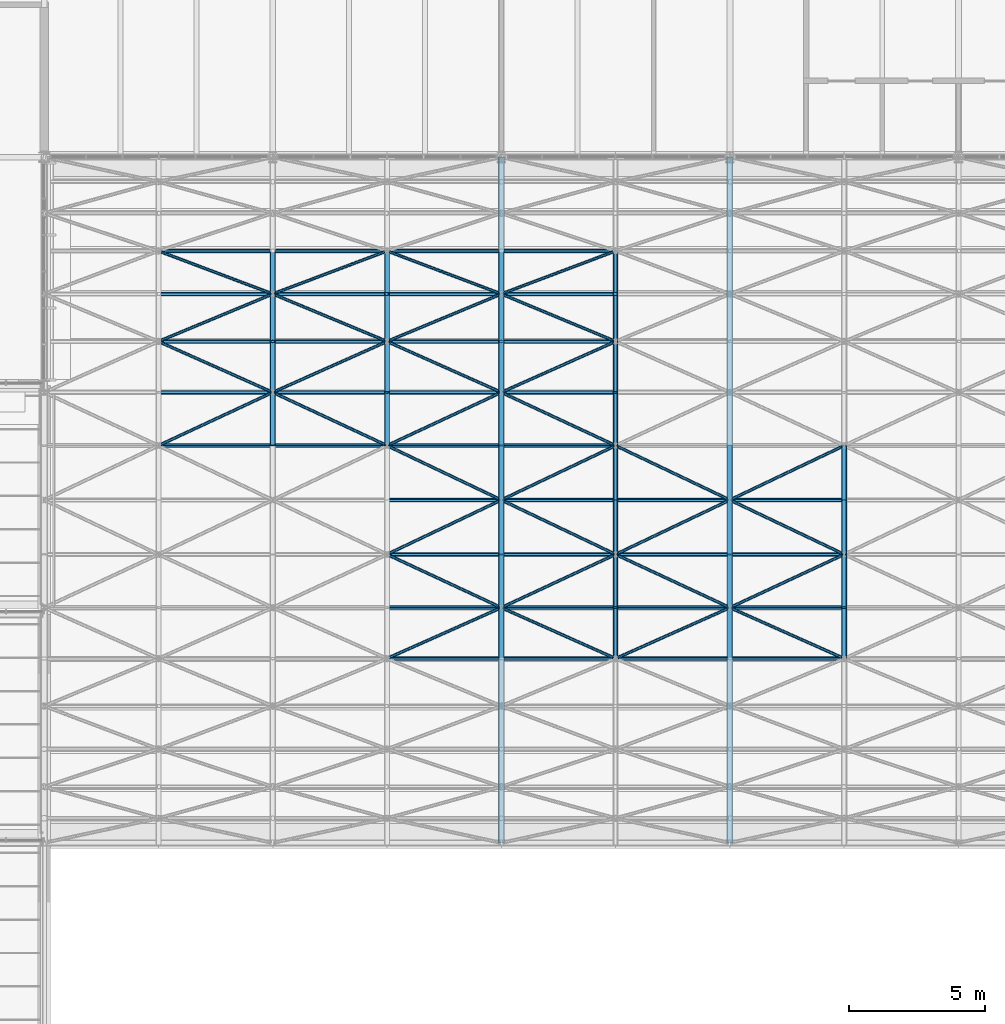
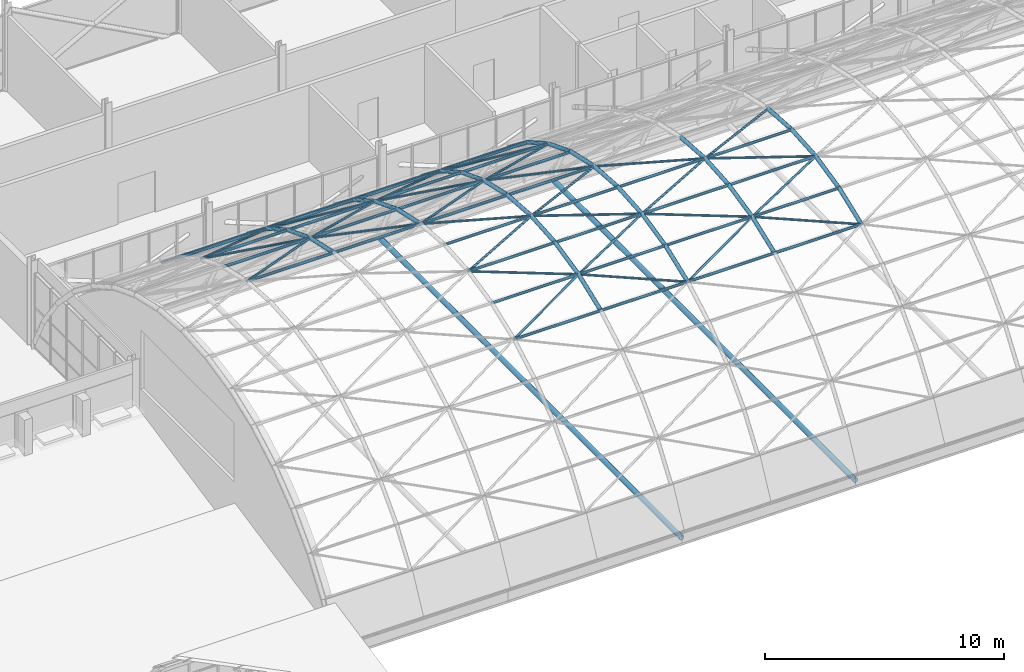
# One storey, part 44 of 121: 102 members.
"""IFC4 building model written with IfcOpenShell, lengths in metres."""

from ifc_helpers import new_model, si_unit, direction, frame, origin, origin_2d, place, context, subcontext, project, spatial, hollow_circle, extrude, material, material_profile, profile_set, type_object, element, save


model = new_model("IFC4")

# Units and contexts
model_context = context("Model", 3, precision=1e-05, world=origin(), true_north=direction((0.0, 1.0)))
body_context = subcontext(model_context, "Body", "Model", "MODEL_VIEW")
ifc_project = project(units=[si_unit("LENGTHUNIT", "METRE"), si_unit("AREAUNIT", "SQUARE_METRE"), si_unit("VOLUMEUNIT", "CUBIC_METRE"), si_unit("PLANEANGLEUNIT", "RADIAN"), si_unit("MASSUNIT", "GRAM", prefix="KILO")], contexts=[model_context])

# Site, building, storey
site_placement = place(None, origin())
site = spatial("IfcSite", under=ifc_project, at=site_placement, CompositionType="ELEMENT")
building_placement = place(site_placement, origin())
building = spatial("IfcBuilding", under=site, at=building_placement, Name="Ardhachandra Cancer Care Centre", CompositionType="ELEMENT")
storey_placement = place(building_placement, frame((0.0, 0.0, 9.0)))
storey = spatial("IfcBuildingStorey", under=building, at=storey_placement, Name="L02", CompositionType="ELEMENT", Elevation=9.0)

# Members
ifc_material_1 = material(Name="Steel E350 (IS 2062)", Category="steel")
ifc_material_profile_1 = material_profile(ifc_material_1, hollow_circle(Radius=0.05712890625, WallThickness=0.0048828125, at=origin_2d()), Name="CHS 114.3x5.0")
ifc_profile_set_1 = profile_set([ifc_material_profile_1], Name="Steel E350 (IS 2062)")
member_type_1 = type_object("IfcMemberType", Name="Hall shell Diagonal CHS 114.3x5.0", PredefinedType="BRACE", material=ifc_profile_set_1)
for number, where, z_axis, x_axis, name in (
    (1, (48.60009765625, 69.19921875, 8.252685546875), (0.902454833565, 0.420355204404, -0.094216641346), (-0.422233417443, 0.906487143425, 0.0), "Hall shell diagonal 01-09"),
    (2, (52.800048828125, 71.155517578125, 7.814208984375), (-0.902466898758, 0.401999874742, -0.154756574512), (-0.406901972634, -0.913471830253, 0.0), "Hall shell diagonal 02-10"),
):
    element("IfcMember", number, at=place(storey_placement, frame(where, z_axis=z_axis, x_axis=x_axis)), inside=storey, type_object=member_type_1, Name=name, PredefinedType="BRACE", context=body_context, shape_type="SweptSolid", body=[
        extrude(hollow_circle(Radius=0.05712890625, WallThickness=0.0048828125, at=origin_2d()), origin(), (0.0, 0.0, 1.0), 4.65380859375),
    ])
member_1_placement = place(storey_placement, frame((48.60009765625, 73.0263671875, 7.093994140625), z_axis=(0.902449746112, 0.375028380803, -0.211986247982), x_axis=(-0.383750001753, 0.923437023383, 0.0)))
element("IfcMember", 3, at=member_1_placement, inside=storey, type_object=member_type_1, Name="Hall shell diagonal 01-11", PredefinedType="BRACE", context=body_context, shape_type="SweptSolid", body=[
    extrude(hollow_circle(Radius=0.05712890625, WallThickness=0.0048828125, at=origin_2d()), origin(), (0.0, 0.0, 1.0), 4.654052734375),
])
for number, where, z_axis, x_axis, name in (
    (4, (52.800048828125, 74.771728515625, 6.107421875), (-0.902472725391, 0.339889599942, -0.264609220884), (-0.352452515066, -0.935829698515, 0.0), "Hall shell diagonal 02-12"),
    (5, (57.0, 69.19921875, 8.252685546875), (-0.902454833565, 0.420355204404, -0.094216641346), (-0.422233417443, -0.906487143425, 0.0), "Hall shell diagonal 03-09"),
    (6, (52.800048828125, 71.155517578125, 7.814208984375), (0.902466898758, 0.401999874742, -0.154756574512), (-0.406901972634, 0.913471830253, 0.0), "Hall shell diagonal 02-10"),
):
    element("IfcMember", number, at=place(storey_placement, frame(where, z_axis=z_axis, x_axis=x_axis)), inside=storey, type_object=member_type_1, Name=name, PredefinedType="BRACE", context=body_context, shape_type="SweptSolid", body=[
        extrude(hollow_circle(Radius=0.05712890625, WallThickness=0.0048828125, at=origin_2d()), origin(), (0.0, 0.0, 1.0), 4.65380859375),
    ])
member_2_placement = place(storey_placement, frame((57.0, 73.0263671875, 7.093994140625), z_axis=(-0.902449746112, 0.375028380803, -0.211986247982), x_axis=(-0.383750001753, -0.923437023383, 0.0)))
element("IfcMember", 7, at=member_2_placement, inside=storey, type_object=member_type_1, Name="Hall shell diagonal 03-11", PredefinedType="BRACE", context=body_context, shape_type="SweptSolid", body=[
    extrude(hollow_circle(Radius=0.05712890625, WallThickness=0.0048828125, at=origin_2d()), origin(), (0.0, 0.0, 1.0), 4.654052734375),
])
for number, where, z_axis, x_axis, name in (
    (8, (52.800048828125, 74.771728515625, 6.107421875), (0.902472725391, 0.339889599942, -0.264609220884), (-0.352452515066, 0.935829698515, 0.0), "Hall shell diagonal 02-12"),
    (9, (57.0, 61.37353515625, 7.093994140625), (0.902466898758, 0.401999874742, 0.154756574512), (-0.406901972634, 0.913471830253, 0.0), "Hall shell diagonal 03-05"),
    (10, (61.199951171875, 63.244384765625, 7.814208984375), (-0.902454833565, 0.420355204404, 0.094216641346), (-0.422233417443, -0.906487143425, 0.0), "Hall shell diagonal 04-06"),
    (11, (57.0, 65.20068359375, 8.252685546875), (0.902467816457, 0.42959419572, 0.031633325195), (-0.429809297591, 0.902919690617, 0.0), "Hall shell diagonal 03-07"),
    (12, (61.199951171875, 67.199951171875, 8.39990234375), (-0.902467816457, 0.42959419572, -0.031633325195), (-0.429809297591, -0.902919690617, 0.0), "Hall shell diagonal 04-08"),
    (13, (57.0, 69.19921875, 8.252685546875), (0.902454833565, 0.420355204404, -0.094216641346), (-0.422233417443, 0.906487143425, 0.0), "Hall shell diagonal 03-09"),
    (14, (61.199951171875, 71.155517578125, 7.814208984375), (-0.902466898758, 0.401999874742, -0.154756574512), (-0.406901972634, -0.913471830253, 0.0), "Hall shell diagonal 04-10"),
):
    element("IfcMember", number, at=place(storey_placement, frame(where, z_axis=z_axis, x_axis=x_axis)), inside=storey, type_object=member_type_1, Name=name, PredefinedType="BRACE", context=body_context, shape_type="SweptSolid", body=[
        extrude(hollow_circle(Radius=0.05712890625, WallThickness=0.0048828125, at=origin_2d()), origin(), (0.0, 0.0, 1.0), 4.65380859375),
    ])
member_3_placement = place(storey_placement, frame((57.0, 73.0263671875, 7.093994140625), z_axis=(0.902449746112, 0.375028380803, -0.211986247982), x_axis=(-0.383750001753, 0.923437023383, 0.0)))
element("IfcMember", 15, at=member_3_placement, inside=storey, type_object=member_type_1, Name="Hall shell diagonal 03-11", PredefinedType="BRACE", context=body_context, shape_type="SweptSolid", body=[
    extrude(hollow_circle(Radius=0.05712890625, WallThickness=0.0048828125, at=origin_2d()), origin(), (0.0, 0.0, 1.0), 4.654052734375),
])
for number, where, z_axis, x_axis, name in (
    (16, (61.199951171875, 74.771728515625, 6.107421875), (-0.902472725391, 0.339889599942, -0.264609220884), (-0.352452515066, -0.935829698515, 0.0), "Hall shell diagonal 04-12"),
    (17, (65.39990234375, 61.37353515625, 7.093994140625), (-0.902466898758, 0.401999874742, 0.154756574512), (-0.406901972634, -0.913471830253, 0.0), "Hall shell diagonal 05-05"),
    (18, (61.199951171875, 63.244384765625, 7.814208984375), (0.902454833565, 0.420355204404, 0.094216641346), (-0.422233417443, 0.906487143425, 0.0), "Hall shell diagonal 04-06"),
    (19, (65.39990234375, 65.20068359375, 8.252685546875), (-0.902467816457, 0.42959419572, 0.031633325195), (-0.429809297591, -0.902919690617, 0.0), "Hall shell diagonal 05-07"),
    (20, (61.199951171875, 67.199951171875, 8.39990234375), (0.902467816457, 0.42959419572, -0.031633325195), (-0.429809297591, 0.902919690617, 0.0), "Hall shell diagonal 04-08"),
    (21, (65.39990234375, 69.19921875, 8.252685546875), (-0.902454833565, 0.420355204404, -0.094216641346), (-0.422233417443, -0.906487143425, 0.0), "Hall shell diagonal 05-09"),
    (22, (61.199951171875, 71.155517578125, 7.814208984375), (0.902466898758, 0.401999874742, -0.154756574512), (-0.406901972634, 0.913471830253, 0.0), "Hall shell diagonal 04-10"),
):
    element("IfcMember", number, at=place(storey_placement, frame(where, z_axis=z_axis, x_axis=x_axis)), inside=storey, type_object=member_type_1, Name=name, PredefinedType="BRACE", context=body_context, shape_type="SweptSolid", body=[
        extrude(hollow_circle(Radius=0.05712890625, WallThickness=0.0048828125, at=origin_2d()), origin(), (0.0, 0.0, 1.0), 4.65380859375),
    ])
member_4_placement = place(storey_placement, frame((65.39990234375, 73.0263671875, 7.093994140625), z_axis=(-0.902449746112, 0.375028380803, -0.211986247982), x_axis=(-0.383750001753, -0.923437023383, 0.0)))
element("IfcMember", 23, at=member_4_placement, inside=storey, type_object=member_type_1, Name="Hall shell diagonal 05-11", PredefinedType="BRACE", context=body_context, shape_type="SweptSolid", body=[
    extrude(hollow_circle(Radius=0.05712890625, WallThickness=0.0048828125, at=origin_2d()), origin(), (0.0, 0.0, 1.0), 4.654052734375),
])
member_5_placement = place(storey_placement, frame((61.199951171875, 74.771728515625, 6.107421875), z_axis=(0.902472725391, 0.339889599942, -0.264609220884), x_axis=(-0.352452515066, 0.935829698515, 0.0)))
element("IfcMember", 24, at=member_5_placement, inside=storey, type_object=member_type_1, Name="Hall shell diagonal 04-12", PredefinedType="BRACE", context=body_context, shape_type="SweptSolid", body=[
    extrude(hollow_circle(Radius=0.05712890625, WallThickness=0.0048828125, at=origin_2d()), origin(), (0.0, 0.0, 1.0), 4.65380859375),
])
for number, where, z_axis, x_axis, name in (
    (25, (65.39990234375, 61.37353515625, 7.093994140625), (0.902476632176, 0.401980843546, 0.154749248135), (-0.406882236734, 0.913480621267, 0.0), "Hall shell diagonal 05-05"),
    (26, (69.60009765625, 63.244384765625, 7.814208984375), (-0.902464567995, 0.420335304775, 0.094212181128), (-0.422213249889, -0.906496537014, 0.0), "Hall shell diagonal 06-06"),
    (27, (65.39990234375, 65.20068359375, 8.252685546875), (0.902477549799, 0.429573858132, 0.031631827629), (-0.42978892944, 0.902929386016, 0.0), "Hall shell diagonal 05-07"),
    (28, (69.60009765625, 67.199951171875, 8.39990234375), (-0.902477549799, 0.429573858132, -0.031631827629), (-0.42978892944, -0.902929386016, 0.0), "Hall shell diagonal 06-08"),
):
    element("IfcMember", number, at=place(storey_placement, frame(where, z_axis=z_axis, x_axis=x_axis)), inside=storey, type_object=member_type_1, Name=name, PredefinedType="BRACE", context=body_context, shape_type="SweptSolid", body=[
        extrude(hollow_circle(Radius=0.05712890625, WallThickness=0.0048828125, at=origin_2d()), origin(), (0.0, 0.0, 1.0), 4.654052734375),
    ])
for number, where, z_axis, x_axis, name in (
    (29, (73.800048828125, 61.37353515625, 7.093994140625), (-0.902466898758, 0.401999874742, 0.154756574512), (-0.406901972634, -0.913471830253, 0.0), "Hall shell diagonal 07-05"),
    (30, (69.60009765625, 63.244384765625, 7.814208984375), (0.902454833565, 0.420355204404, 0.094216641346), (-0.422233417443, 0.906487143425, 0.0), "Hall shell diagonal 06-06"),
    (31, (73.800048828125, 65.20068359375, 8.252685546875), (-0.902467816457, 0.42959419572, 0.031633325195), (-0.429809297591, -0.902919690617, 0.0), "Hall shell diagonal 07-07"),
    (32, (69.60009765625, 67.199951171875, 8.39990234375), (0.902467816457, 0.42959419572, -0.031633325195), (-0.429809297591, 0.902919690617, 0.0), "Hall shell diagonal 06-08"),
):
    element("IfcMember", number, at=place(storey_placement, frame(where, z_axis=z_axis, x_axis=x_axis)), inside=storey, type_object=member_type_1, Name=name, PredefinedType="BRACE", context=body_context, shape_type="SweptSolid", body=[
        extrude(hollow_circle(Radius=0.05712890625, WallThickness=0.0048828125, at=origin_2d()), origin(), (0.0, 0.0, 1.0), 4.65380859375),
    ])
ifc_material_2 = material(Name="Steel E350 (IS 2062)", Category="steel")
ifc_material_profile_2 = material_profile(ifc_material_2, hollow_circle(Radius=0.06982421875, WallThickness=0.0048828125, at=origin_2d()), Name="CHS 139.7x5.0")
ifc_profile_set_2 = profile_set([ifc_material_profile_2], Name="Steel E350 (IS 2062)")
member_type_2 = type_object("IfcMemberType", Name="Hall shell Purlin CHS 139.7x5.0", PredefinedType="PURLIN", material=ifc_profile_set_2)
for number, where, z_axis, x_axis, name in (
    (33, (57.0, 61.37353515625, 7.093994140625), (1.0, 0.0, 0.0), (0.0, 1.0, 0.0), "Hall shell purlin 03-05"),
    (34, (61.199951171875, 61.37353515625, 7.093994140625), (1.0, 0.0, 0.0), (0.0, 1.0, 0.0), "Hall shell purlin 04-05"),
):
    element("IfcMember", number, at=place(storey_placement, frame(where, z_axis=z_axis, x_axis=x_axis)), inside=storey, type_object=member_type_2, Name=name, PredefinedType="PURLIN", context=body_context, shape_type="SweptSolid", body=[
        extrude(hollow_circle(Radius=0.06982421875, WallThickness=0.0048828125, at=origin_2d()), origin(), (0.0, 0.0, 1.0), 4.199951171875),
    ])
member_6_placement = place(storey_placement, frame((65.39990234375, 61.37353515625, 7.093994140625), z_axis=(1.0, 0.0, 0.0), x_axis=(0.0, 1.0, 0.0)))
element("IfcMember", 35, at=member_6_placement, inside=storey, type_object=member_type_2, Name="Hall shell purlin 05-05", PredefinedType="PURLIN", context=body_context, shape_type="SweptSolid", body=[
    extrude(hollow_circle(Radius=0.06982421875, WallThickness=0.0048828125, at=origin_2d()), origin(), (0.0, 0.0, 1.0), 4.2001953125),
])
for number, where, z_axis, x_axis, name in (
    (36, (69.60009765625, 61.37353515625, 7.093994140625), (1.0, 0.0, 0.0), (0.0, 1.0, 0.0), "Hall shell purlin 06-05"),
    (37, (57.0, 63.244384765625, 7.814208984375), (1.0, 0.0, 0.0), (0.0, 1.0, 0.0), "Hall shell purlin 03-06"),
    (38, (61.199951171875, 63.244384765625, 7.814208984375), (1.0, 0.0, 0.0), (0.0, 1.0, 0.0), "Hall shell purlin 04-06"),
):
    element("IfcMember", number, at=place(storey_placement, frame(where, z_axis=z_axis, x_axis=x_axis)), inside=storey, type_object=member_type_2, Name=name, PredefinedType="PURLIN", context=body_context, shape_type="SweptSolid", body=[
        extrude(hollow_circle(Radius=0.06982421875, WallThickness=0.0048828125, at=origin_2d()), origin(), (0.0, 0.0, 1.0), 4.199951171875),
    ])
member_7_placement = place(storey_placement, frame((65.39990234375, 63.244384765625, 7.814208984375), z_axis=(1.0, 0.0, 0.0), x_axis=(0.0, 1.0, 0.0)))
element("IfcMember", 39, at=member_7_placement, inside=storey, type_object=member_type_2, Name="Hall shell purlin 05-06", PredefinedType="PURLIN", context=body_context, shape_type="SweptSolid", body=[
    extrude(hollow_circle(Radius=0.06982421875, WallThickness=0.0048828125, at=origin_2d()), origin(), (0.0, 0.0, 1.0), 4.2001953125),
])
for number, where, z_axis, x_axis, name in (
    (40, (69.60009765625, 63.244384765625, 7.814208984375), (1.0, 0.0, 0.0), (0.0, 1.0, 0.0), "Hall shell purlin 06-06"),
    (41, (57.0, 65.20068359375, 8.252685546875), (1.0, 0.0, 0.0), (0.0, 1.0, 0.0), "Hall shell purlin 03-07"),
    (42, (61.199951171875, 65.20068359375, 8.252685546875), (1.0, 0.0, 0.0), (0.0, 1.0, 0.0), "Hall shell purlin 04-07"),
):
    element("IfcMember", number, at=place(storey_placement, frame(where, z_axis=z_axis, x_axis=x_axis)), inside=storey, type_object=member_type_2, Name=name, PredefinedType="PURLIN", context=body_context, shape_type="SweptSolid", body=[
        extrude(hollow_circle(Radius=0.06982421875, WallThickness=0.0048828125, at=origin_2d()), origin(), (0.0, 0.0, 1.0), 4.199951171875),
    ])
member_8_placement = place(storey_placement, frame((65.39990234375, 65.20068359375, 8.252685546875), z_axis=(1.0, 0.0, 0.0), x_axis=(0.0, 1.0, 0.0)))
element("IfcMember", 43, at=member_8_placement, inside=storey, type_object=member_type_2, Name="Hall shell purlin 05-07", PredefinedType="PURLIN", context=body_context, shape_type="SweptSolid", body=[
    extrude(hollow_circle(Radius=0.06982421875, WallThickness=0.0048828125, at=origin_2d()), origin(), (0.0, 0.0, 1.0), 4.2001953125),
])
for number, where, z_axis, x_axis, name in (
    (44, (69.60009765625, 65.20068359375, 8.252685546875), (1.0, 0.0, 0.0), (0.0, 1.0, 0.0), "Hall shell purlin 06-07"),
    (45, (57.0, 67.199951171875, 8.39990234375), (1.0, 0.0, 0.0), (0.0, 1.0, 0.0), "Hall shell purlin 03-08"),
    (46, (61.199951171875, 67.199951171875, 8.39990234375), (1.0, 0.0, 0.0), (0.0, 1.0, 0.0), "Hall shell purlin 04-08"),
):
    element("IfcMember", number, at=place(storey_placement, frame(where, z_axis=z_axis, x_axis=x_axis)), inside=storey, type_object=member_type_2, Name=name, PredefinedType="PURLIN", context=body_context, shape_type="SweptSolid", body=[
        extrude(hollow_circle(Radius=0.06982421875, WallThickness=0.0048828125, at=origin_2d()), origin(), (0.0, 0.0, 1.0), 4.199951171875),
    ])
member_9_placement = place(storey_placement, frame((65.39990234375, 67.199951171875, 8.39990234375), z_axis=(1.0, 0.0, 0.0), x_axis=(0.0, 1.0, 0.0)))
element("IfcMember", 47, at=member_9_placement, inside=storey, type_object=member_type_2, Name="Hall shell purlin 05-08", PredefinedType="PURLIN", context=body_context, shape_type="SweptSolid", body=[
    extrude(hollow_circle(Radius=0.06982421875, WallThickness=0.0048828125, at=origin_2d()), origin(), (0.0, 0.0, 1.0), 4.2001953125),
])
for number, where, z_axis, x_axis, name in (
    (48, (69.60009765625, 67.199951171875, 8.39990234375), (1.0, 0.0, 0.0), (0.0, 1.0, 0.0), "Hall shell purlin 06-08"),
    (49, (48.60009765625, 69.19921875, 8.252685546875), (1.0, 0.0, 0.0), (0.0, 1.0, 0.0), "Hall shell purlin 01-09"),
    (50, (52.800048828125, 69.19921875, 8.252685546875), (1.0, 0.0, 0.0), (0.0, 1.0, 0.0), "Hall shell purlin 02-09"),
    (51, (57.0, 69.19921875, 8.252685546875), (1.0, 0.0, 0.0), (0.0, 1.0, 0.0), "Hall shell purlin 03-09"),
    (52, (61.199951171875, 69.19921875, 8.252685546875), (1.0, 0.0, 0.0), (0.0, 1.0, 0.0), "Hall shell purlin 04-09"),
    (53, (48.60009765625, 71.155517578125, 7.814208984375), (1.0, 0.0, 0.0), (0.0, 1.0, 0.0), "Hall shell purlin 01-10"),
    (54, (52.800048828125, 71.155517578125, 7.814208984375), (1.0, 0.0, 0.0), (0.0, 1.0, 0.0), "Hall shell purlin 02-10"),
    (55, (57.0, 71.155517578125, 7.814208984375), (1.0, 0.0, 0.0), (0.0, 1.0, 0.0), "Hall shell purlin 03-10"),
    (56, (61.199951171875, 71.155517578125, 7.814208984375), (1.0, 0.0, 0.0), (0.0, 1.0, 0.0), "Hall shell purlin 04-10"),
    (57, (48.60009765625, 73.0263671875, 7.093994140625), (1.0, 0.0, 0.0), (0.0, 1.0, 0.0), "Hall shell purlin 01-11"),
    (58, (52.800048828125, 73.0263671875, 7.093994140625), (1.0, 0.0, 0.0), (0.0, 1.0, 0.0), "Hall shell purlin 02-11"),
    (59, (57.0, 73.0263671875, 7.093994140625), (1.0, 0.0, 0.0), (0.0, 1.0, 0.0), "Hall shell purlin 03-11"),
    (60, (61.199951171875, 73.0263671875, 7.093994140625), (1.0, 0.0, 0.0), (0.0, 1.0, 0.0), "Hall shell purlin 04-11"),
    (61, (48.60009765625, 74.771728515625, 6.107421875), (1.0, 0.0, 0.0), (0.0, 1.0, 0.0), "Hall shell purlin 01-12"),
    (62, (52.800048828125, 74.771728515625, 6.107421875), (1.0, 0.0, 0.0), (0.0, 1.0, 0.0), "Hall shell purlin 02-12"),
    (63, (57.0, 74.771728515625, 6.107421875), (1.0, 0.0, 0.0), (0.0, 1.0, 0.0), "Hall shell purlin 03-12"),
    (64, (61.199951171875, 74.771728515625, 6.107421875), (1.0, 0.0, 0.0), (0.0, 1.0, 0.0), "Hall shell purlin 04-12"),
    (65, (48.60009765625, 76.353515625, 4.8759765625), (1.0, 0.0, 0.0), (0.0, 1.0, 0.0), "Hall shell purlin 01-13"),
    (66, (52.800048828125, 76.353515625, 4.8759765625), (1.0, 0.0, 0.0), (0.0, 1.0, 0.0), "Hall shell purlin 02-13"),
    (67, (57.0, 76.353515625, 4.8759765625), (1.0, 0.0, 0.0), (0.0, 1.0, 0.0), "Hall shell purlin 03-13"),
    (68, (61.199951171875, 76.353515625, 4.8759765625), (1.0, 0.0, 0.0), (0.0, 1.0, 0.0), "Hall shell purlin 04-13"),
):
    element("IfcMember", number, at=place(storey_placement, frame(where, z_axis=z_axis, x_axis=x_axis)), inside=storey, type_object=member_type_2, Name=name, PredefinedType="PURLIN", context=body_context, shape_type="SweptSolid", body=[
        extrude(hollow_circle(Radius=0.06982421875, WallThickness=0.0048828125, at=origin_2d()), origin(), (0.0, 0.0, 1.0), 4.199951171875),
    ])
ifc_material_3 = material(Name="Steel E350 (IS 2062)", Category="steel")
ifc_material_profile_3 = material_profile(ifc_material_3, hollow_circle(Radius=0.096923828125, WallThickness=0.008056640625, at=origin_2d()), Name="CHS 193.7x8.0")
ifc_profile_set_3 = profile_set([ifc_material_profile_3], Name="Steel E350 (IS 2062)")
member_type_3 = type_object("IfcMemberType", Name="Hall shell Rib CHS 193.7x8.0", PredefinedType="RAFTER", material=ifc_profile_set_3)
member_10_placement = place(storey_placement, frame((52.800048828125, 69.19921875, 8.252685546875), z_axis=(0.0, 0.9757900251, -0.218709457766), x_axis=(-1.0, 0.0, 0.0)))
element("IfcMember", 69, at=member_10_placement, inside=storey, type_object=member_type_3, Name="Hall shell rib 02-09", PredefinedType="RAFTER", context=body_context, shape_type="SweptSolid", body=[
    extrude(hollow_circle(Radius=0.096923828125, WallThickness=0.008056640625, at=origin_2d()), origin(), (0.0, 0.0, 1.0), 2.0048828125),
])
member_11_placement = place(storey_placement, frame((52.800048828125, 71.155517578125, 7.814208984375), z_axis=(0.0, 0.933235705219, -0.359264691426), x_axis=(-1.0, 0.0, 0.0)))
element("IfcMember", 70, at=member_11_placement, inside=storey, type_object=member_type_3, Name="Hall shell rib 02-10", PredefinedType="RAFTER", context=body_context, shape_type="SweptSolid", body=[
    extrude(hollow_circle(Radius=0.096923828125, WallThickness=0.008056640625, at=origin_2d()), origin(), (0.0, 0.0, 1.0), 2.004638671875),
])
member_12_placement = place(storey_placement, frame((52.800048828125, 73.0263671875, 7.093994140625), z_axis=(0.0, 0.870549230609, -0.492081331779), x_axis=(-1.0, 0.0, 0.0)))
element("IfcMember", 71, at=member_12_placement, inside=storey, type_object=member_type_3, Name="Hall shell rib 02-11", PredefinedType="RAFTER", context=body_context, shape_type="SweptSolid", body=[
    extrude(hollow_circle(Radius=0.096923828125, WallThickness=0.008056640625, at=origin_2d()), origin(), (0.0, 0.0, 1.0), 2.0048828125),
])
member_13_placement = place(storey_placement, frame((52.800048828125, 74.771728515625, 6.107421875), z_axis=(0.0, 0.789070146017, -0.614303104879), x_axis=(-1.0, 0.0, 0.0)))
element("IfcMember", 72, at=member_13_placement, inside=storey, type_object=member_type_3, Name="Hall shell rib 02-12", PredefinedType="RAFTER", context=body_context, shape_type="SweptSolid", body=[
    extrude(hollow_circle(Radius=0.096923828125, WallThickness=0.008056640625, at=origin_2d()), origin(), (0.0, 0.0, 1.0), 2.004638671875),
])
member_14_placement = place(storey_placement, frame((57.0, 69.19921875, 8.252685546875), z_axis=(0.0, 0.9757900251, -0.218709457766), x_axis=(-1.0, 0.0, 0.0)))
element("IfcMember", 73, at=member_14_placement, inside=storey, type_object=member_type_3, Name="Hall shell rib 03-09", PredefinedType="RAFTER", context=body_context, shape_type="SweptSolid", body=[
    extrude(hollow_circle(Radius=0.096923828125, WallThickness=0.008056640625, at=origin_2d()), origin(), (0.0, 0.0, 1.0), 2.0048828125),
])
member_15_placement = place(storey_placement, frame((57.0, 71.155517578125, 7.814208984375), z_axis=(0.0, 0.933235705219, -0.359264691426), x_axis=(-1.0, 0.0, 0.0)))
element("IfcMember", 74, at=member_15_placement, inside=storey, type_object=member_type_3, Name="Hall shell rib 03-10", PredefinedType="RAFTER", context=body_context, shape_type="SweptSolid", body=[
    extrude(hollow_circle(Radius=0.096923828125, WallThickness=0.008056640625, at=origin_2d()), origin(), (0.0, 0.0, 1.0), 2.004638671875),
])
member_16_placement = place(storey_placement, frame((57.0, 73.0263671875, 7.093994140625), z_axis=(0.0, 0.870549230609, -0.492081331779), x_axis=(-1.0, 0.0, 0.0)))
element("IfcMember", 75, at=member_16_placement, inside=storey, type_object=member_type_3, Name="Hall shell rib 03-11", PredefinedType="RAFTER", context=body_context, shape_type="SweptSolid", body=[
    extrude(hollow_circle(Radius=0.096923828125, WallThickness=0.008056640625, at=origin_2d()), origin(), (0.0, 0.0, 1.0), 2.0048828125),
])
for number, where, z_axis, x_axis, name in (
    (76, (57.0, 74.771728515625, 6.107421875), (0.0, 0.789070146017, -0.614303104879), (-1.0, 0.0, 0.0), "Hall shell rib 03-12"),
    (77, (61.199951171875, 61.37353515625, 7.093994140625), (0.0, 0.933235705219, 0.359264691426), (-1.0, 0.0, 0.0), "Hall shell rib 04-05"),
):
    element("IfcMember", number, at=place(storey_placement, frame(where, z_axis=z_axis, x_axis=x_axis)), inside=storey, type_object=member_type_3, Name=name, PredefinedType="RAFTER", context=body_context, shape_type="SweptSolid", body=[
        extrude(hollow_circle(Radius=0.096923828125, WallThickness=0.008056640625, at=origin_2d()), origin(), (0.0, 0.0, 1.0), 2.004638671875),
    ])
member_17_placement = place(storey_placement, frame((61.199951171875, 63.244384765625, 7.814208984375), z_axis=(0.0, 0.9757900251, 0.218709457766), x_axis=(-1.0, 0.0, 0.0)))
element("IfcMember", 78, at=member_17_placement, inside=storey, type_object=member_type_3, Name="Hall shell rib 04-06", PredefinedType="RAFTER", context=body_context, shape_type="SweptSolid", body=[
    extrude(hollow_circle(Radius=0.096923828125, WallThickness=0.008056640625, at=origin_2d()), origin(), (0.0, 0.0, 1.0), 2.0048828125),
])
for number, where, z_axis, x_axis, name in (
    (79, (61.199951171875, 65.20068359375, 8.252685546875), (0.0, 0.997299891926, 0.073436541071), (-1.0, 0.0, 0.0), "Hall shell rib 04-07"),
    (80, (61.199951171875, 67.199951171875, 8.39990234375), (0.0, 0.997299891926, -0.073436541071), (-1.0, 0.0, 0.0), "Hall shell rib 04-08"),
):
    element("IfcMember", number, at=place(storey_placement, frame(where, z_axis=z_axis, x_axis=x_axis)), inside=storey, type_object=member_type_3, Name=name, PredefinedType="RAFTER", context=body_context, shape_type="SweptSolid", body=[
        extrude(hollow_circle(Radius=0.096923828125, WallThickness=0.008056640625, at=origin_2d()), origin(), (0.0, 0.0, 1.0), 2.004638671875),
    ])
member_18_placement = place(storey_placement, frame((61.199951171875, 69.19921875, 8.252685546875), z_axis=(0.0, 0.9757900251, -0.218709457766), x_axis=(-1.0, 0.0, 0.0)))
element("IfcMember", 81, at=member_18_placement, inside=storey, type_object=member_type_3, Name="Hall shell rib 04-09", PredefinedType="RAFTER", context=body_context, shape_type="SweptSolid", body=[
    extrude(hollow_circle(Radius=0.096923828125, WallThickness=0.008056640625, at=origin_2d()), origin(), (0.0, 0.0, 1.0), 2.0048828125),
])
member_19_placement = place(storey_placement, frame((61.199951171875, 71.155517578125, 7.814208984375), z_axis=(0.0, 0.933235705219, -0.359264691426), x_axis=(-1.0, 0.0, 0.0)))
element("IfcMember", 82, at=member_19_placement, inside=storey, type_object=member_type_3, Name="Hall shell rib 04-10", PredefinedType="RAFTER", context=body_context, shape_type="SweptSolid", body=[
    extrude(hollow_circle(Radius=0.096923828125, WallThickness=0.008056640625, at=origin_2d()), origin(), (0.0, 0.0, 1.0), 2.004638671875),
])
member_20_placement = place(storey_placement, frame((61.199951171875, 73.0263671875, 7.093994140625), z_axis=(0.0, 0.870549230609, -0.492081331779), x_axis=(-1.0, 0.0, 0.0)))
element("IfcMember", 83, at=member_20_placement, inside=storey, type_object=member_type_3, Name="Hall shell rib 04-11", PredefinedType="RAFTER", context=body_context, shape_type="SweptSolid", body=[
    extrude(hollow_circle(Radius=0.096923828125, WallThickness=0.008056640625, at=origin_2d()), origin(), (0.0, 0.0, 1.0), 2.0048828125),
])
for number, where, z_axis, x_axis, name in (
    (84, (61.199951171875, 74.771728515625, 6.107421875), (0.0, 0.789070146017, -0.614303104879), (-1.0, 0.0, 0.0), "Hall shell rib 04-12"),
    (85, (65.39990234375, 61.37353515625, 7.093994140625), (0.0, 0.933235705219, 0.359264691426), (-1.0, 0.0, 0.0), "Hall shell rib 05-05"),
):
    element("IfcMember", number, at=place(storey_placement, frame(where, z_axis=z_axis, x_axis=x_axis)), inside=storey, type_object=member_type_3, Name=name, PredefinedType="RAFTER", context=body_context, shape_type="SweptSolid", body=[
        extrude(hollow_circle(Radius=0.096923828125, WallThickness=0.008056640625, at=origin_2d()), origin(), (0.0, 0.0, 1.0), 2.004638671875),
    ])
member_21_placement = place(storey_placement, frame((65.39990234375, 63.244384765625, 7.814208984375), z_axis=(0.0, 0.9757900251, 0.218709457766), x_axis=(-1.0, 0.0, 0.0)))
element("IfcMember", 86, at=member_21_placement, inside=storey, type_object=member_type_3, Name="Hall shell rib 05-06", PredefinedType="RAFTER", context=body_context, shape_type="SweptSolid", body=[
    extrude(hollow_circle(Radius=0.096923828125, WallThickness=0.008056640625, at=origin_2d()), origin(), (0.0, 0.0, 1.0), 2.0048828125),
])
for number, where, z_axis, x_axis, name in (
    (87, (65.39990234375, 65.20068359375, 8.252685546875), (0.0, 0.997299891926, 0.073436541071), (-1.0, 0.0, 0.0), "Hall shell rib 05-07"),
    (88, (65.39990234375, 67.199951171875, 8.39990234375), (0.0, 0.997299891926, -0.073436541071), (-1.0, 0.0, 0.0), "Hall shell rib 05-08"),
):
    element("IfcMember", number, at=place(storey_placement, frame(where, z_axis=z_axis, x_axis=x_axis)), inside=storey, type_object=member_type_3, Name=name, PredefinedType="RAFTER", context=body_context, shape_type="SweptSolid", body=[
        extrude(hollow_circle(Radius=0.096923828125, WallThickness=0.008056640625, at=origin_2d()), origin(), (0.0, 0.0, 1.0), 2.004638671875),
    ])
member_22_placement = place(storey_placement, frame((65.39990234375, 69.19921875, 8.252685546875), z_axis=(0.0, 0.9757900251, -0.218709457766), x_axis=(-1.0, 0.0, 0.0)))
element("IfcMember", 89, at=member_22_placement, inside=storey, type_object=member_type_3, Name="Hall shell rib 05-09", PredefinedType="RAFTER", context=body_context, shape_type="SweptSolid", body=[
    extrude(hollow_circle(Radius=0.096923828125, WallThickness=0.008056640625, at=origin_2d()), origin(), (0.0, 0.0, 1.0), 2.0048828125),
])
member_23_placement = place(storey_placement, frame((65.39990234375, 71.155517578125, 7.814208984375), z_axis=(0.0, 0.933235705219, -0.359264691426), x_axis=(-1.0, 0.0, 0.0)))
element("IfcMember", 90, at=member_23_placement, inside=storey, type_object=member_type_3, Name="Hall shell rib 05-10", PredefinedType="RAFTER", context=body_context, shape_type="SweptSolid", body=[
    extrude(hollow_circle(Radius=0.096923828125, WallThickness=0.008056640625, at=origin_2d()), origin(), (0.0, 0.0, 1.0), 2.004638671875),
])
member_24_placement = place(storey_placement, frame((65.39990234375, 73.0263671875, 7.093994140625), z_axis=(0.0, 0.870549230609, -0.492081331779), x_axis=(-1.0, 0.0, 0.0)))
element("IfcMember", 91, at=member_24_placement, inside=storey, type_object=member_type_3, Name="Hall shell rib 05-11", PredefinedType="RAFTER", context=body_context, shape_type="SweptSolid", body=[
    extrude(hollow_circle(Radius=0.096923828125, WallThickness=0.008056640625, at=origin_2d()), origin(), (0.0, 0.0, 1.0), 2.0048828125),
])
for number, where, z_axis, x_axis, name in (
    (92, (65.39990234375, 74.771728515625, 6.107421875), (0.0, 0.789070146017, -0.614303104879), (-1.0, 0.0, 0.0), "Hall shell rib 05-12"),
    (93, (69.60009765625, 61.37353515625, 7.093994140625), (0.0, 0.933235705219, 0.359264691426), (-1.0, 0.0, 0.0), "Hall shell rib 06-05"),
):
    element("IfcMember", number, at=place(storey_placement, frame(where, z_axis=z_axis, x_axis=x_axis)), inside=storey, type_object=member_type_3, Name=name, PredefinedType="RAFTER", context=body_context, shape_type="SweptSolid", body=[
        extrude(hollow_circle(Radius=0.096923828125, WallThickness=0.008056640625, at=origin_2d()), origin(), (0.0, 0.0, 1.0), 2.004638671875),
    ])
member_25_placement = place(storey_placement, frame((69.60009765625, 63.244384765625, 7.814208984375), z_axis=(0.0, 0.9757900251, 0.218709457766), x_axis=(-1.0, 0.0, 0.0)))
element("IfcMember", 94, at=member_25_placement, inside=storey, type_object=member_type_3, Name="Hall shell rib 06-06", PredefinedType="RAFTER", context=body_context, shape_type="SweptSolid", body=[
    extrude(hollow_circle(Radius=0.096923828125, WallThickness=0.008056640625, at=origin_2d()), origin(), (0.0, 0.0, 1.0), 2.0048828125),
])
for number, where, z_axis, x_axis, name in (
    (95, (69.60009765625, 65.20068359375, 8.252685546875), (0.0, 0.997299891926, 0.073436541071), (-1.0, 0.0, 0.0), "Hall shell rib 06-07"),
    (96, (69.60009765625, 67.199951171875, 8.39990234375), (0.0, 0.997299891926, -0.073436541071), (-1.0, 0.0, 0.0), "Hall shell rib 06-08"),
    (97, (73.800048828125, 61.37353515625, 7.093994140625), (0.0, 0.933235705219, 0.359264691426), (-1.0, 0.0, 0.0), "Hall shell rib 07-05"),
):
    element("IfcMember", number, at=place(storey_placement, frame(where, z_axis=z_axis, x_axis=x_axis)), inside=storey, type_object=member_type_3, Name=name, PredefinedType="RAFTER", context=body_context, shape_type="SweptSolid", body=[
        extrude(hollow_circle(Radius=0.096923828125, WallThickness=0.008056640625, at=origin_2d()), origin(), (0.0, 0.0, 1.0), 2.004638671875),
    ])
member_26_placement = place(storey_placement, frame((73.800048828125, 63.244384765625, 7.814208984375), z_axis=(0.0, 0.9757900251, 0.218709457766), x_axis=(-1.0, 0.0, 0.0)))
element("IfcMember", 98, at=member_26_placement, inside=storey, type_object=member_type_3, Name="Hall shell rib 07-06", PredefinedType="RAFTER", context=body_context, shape_type="SweptSolid", body=[
    extrude(hollow_circle(Radius=0.096923828125, WallThickness=0.008056640625, at=origin_2d()), origin(), (0.0, 0.0, 1.0), 2.0048828125),
])
for number, where, z_axis, x_axis, name in (
    (99, (73.800048828125, 65.20068359375, 8.252685546875), (0.0, 0.997299891926, 0.073436541071), (-1.0, 0.0, 0.0), "Hall shell rib 07-07"),
    (100, (73.800048828125, 67.199951171875, 8.39990234375), (0.0, 0.997299891926, -0.073436541071), (-1.0, 0.0, 0.0), "Hall shell rib 07-08"),
):
    element("IfcMember", number, at=place(storey_placement, frame(where, z_axis=z_axis, x_axis=x_axis)), inside=storey, type_object=member_type_3, Name=name, PredefinedType="RAFTER", context=body_context, shape_type="SweptSolid", body=[
        extrude(hollow_circle(Radius=0.096923828125, WallThickness=0.008056640625, at=origin_2d()), origin(), (0.0, 0.0, 1.0), 2.004638671875),
    ])
ifc_material_4 = material(Name="Steel E350 (IS 2062)", Category="steel")
ifc_material_profile_4 = material_profile(ifc_material_4, hollow_circle(Radius=0.122314453125, WallThickness=0.010009765625, at=origin_2d()), Name="CHS 244.5x10.0")
ifc_profile_set_4 = profile_set([ifc_material_profile_4], Name="Steel E350 (IS 2062)")
member_type_4 = type_object("IfcMemberType", Name="Hall tie CHS 244.5x10.0", PredefinedType="MEMBER", material=ifc_profile_set_4)
for number, where, z_axis, x_axis, name in (
    (101, (61.199951171875, 54.60009765625, -0.41455078125), (0.0, 1.0, 0.0), (-1.0, 0.0, 0.0), "Hall tie 02"),
    (102, (69.60009765625, 54.60009765625, -0.41455078125), (0.0, 1.0, 0.0), (-1.0, 0.0, 0.0), "Hall tie 03"),
):
    element("IfcMember", number, at=place(storey_placement, frame(where, z_axis=z_axis, x_axis=x_axis)), inside=storey, type_object=member_type_4, Name=name, PredefinedType="MEMBER", context=body_context, shape_type="SweptSolid", body=[
        extrude(hollow_circle(Radius=0.122314453125, WallThickness=0.010009765625, at=origin_2d()), origin(), (0.0, 0.0, 1.0), 25.199951171875),
    ])

save(model, "model.ifc")
